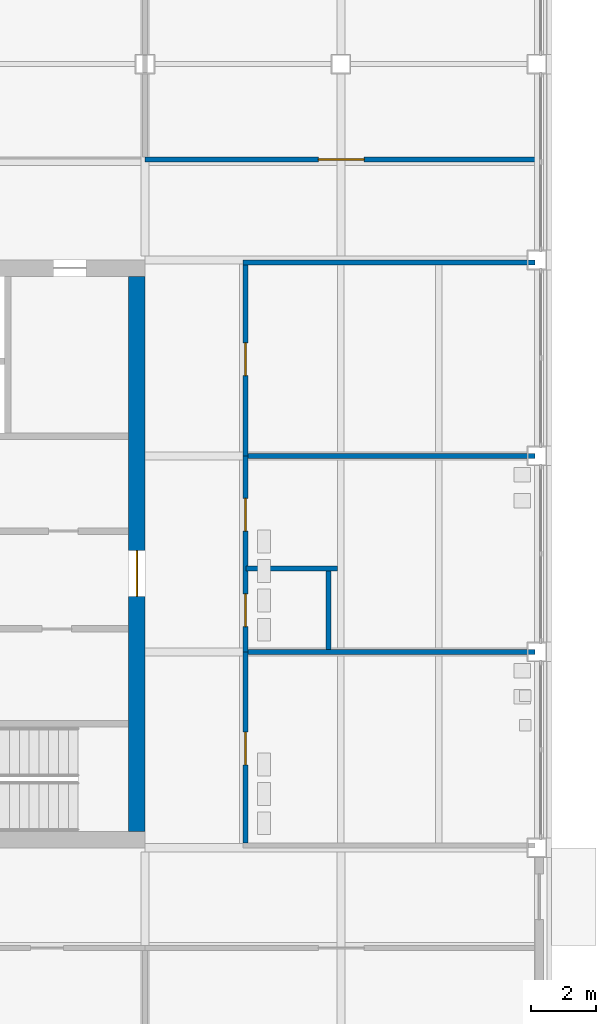
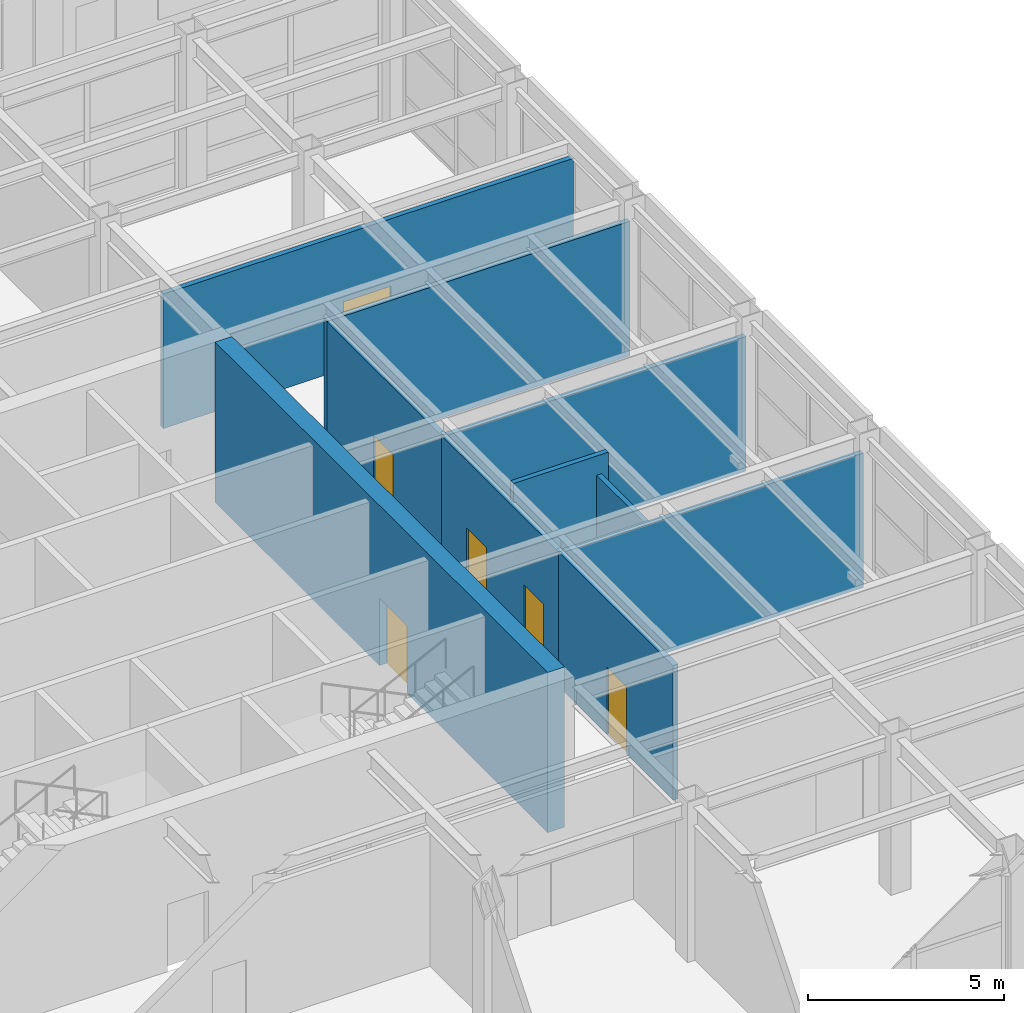
# One storey, part 47 of 77: 10 walls, 6 doors, 6 openings.
"""IFC4 building model written with IfcOpenShell, lengths in metres."""

from ifc_helpers import new_model, si_unit, direction, frame, frame_2d, origin, place, context, subcontext, project, spatial, rectangle, extrude, material, layer, layer_set, type_object, element, fill, save


model = new_model("IFC4")

# Units and contexts
model_context = context("Model", 3, precision=1e-05, world=origin(), true_north=direction((0.0, 1.0)))
body_context = subcontext(model_context, "Body", "Model", "MODEL_VIEW")
ifc_project = project(units=[si_unit("LENGTHUNIT", "METRE"), si_unit("AREAUNIT", "SQUARE_METRE"), si_unit("VOLUMEUNIT", "CUBIC_METRE"), si_unit("PLANEANGLEUNIT", "RADIAN"), si_unit("MASSUNIT", "GRAM", prefix="KILO")], contexts=[model_context])

# Site, building, storey
site_placement = place(None, origin())
site = spatial("IfcSite", under=ifc_project, at=site_placement, CompositionType="ELEMENT")
building_placement = place(site_placement, origin())
building = spatial("IfcBuilding", under=site, at=building_placement, Name="Aravalli Gate Trade Fair Centre", CompositionType="ELEMENT")
storey_placement = place(building_placement, origin())
storey = spatial("IfcBuildingStorey", under=building, at=storey_placement, Name="L00", CompositionType="ELEMENT", Elevation=0.0)

# Wall, opening, door
ifc_material_1 = material(Name="Concrete M50", Category="concrete")
ifc_layer_1 = layer(ifc_material_1, 0.5)
ifc_layer_set_1 = layer_set([ifc_layer_1], Name="Concrete M50")
wall_type_1 = type_object("IfcWallType", Name="Wing core shear wall 500", PredefinedType="SHEAR", material=ifc_layer_set_1)
wall_1_placement = place(storey_placement, frame((189.75, 103.5, 0.0), z_axis=(0.0, 0.0, 1.0), x_axis=(0.0, 1.0, 0.0)))
wall_1 = element("IfcWall", 1, at=wall_1_placement, inside=storey, type_object=wall_type_1, Name="Core wall E L00", PredefinedType="SHEAR", context=body_context, shape_type="SweptSolid", body=[
    extrude(rectangle(XDim=17.0, YDim=0.5, at=frame_2d((8.5, 0.0))), origin(), (0.0, 0.0, 1.0), 5.0),
])
opening_1_placement = place(wall_1_placement, frame((7.199951171875, 0.0, 0.0)))
opening_1 = element("IfcOpeningElement", 2, at=opening_1_placement, cuts=wall_1, Name="Opening T-L00-107", PredefinedType="OPENING", context=body_context, shape_type="SweptSolid", body=[
    extrude(rectangle(XDim=1.39990234375, YDim=2.10009765625, at=frame_2d((0.699951171875, 1.050048828125))), frame((0.0, 0.260009765625, 0.0), z_axis=(0.0, -1.0, 0.0), x_axis=(1.0, 0.0, 0.0)), (0.0, 0.0, 1.0), 0.52001953125),
])
ifc_material_2 = material(Name="Steel, fire rated", Category="steel")
door_type_1 = type_object("IfcDoorType", Name="Wing fire door FD120 1400 x 2100", OperationType="DOUBLE_DOOR_SINGLE_SWING", PredefinedType="DOOR", material=ifc_material_2)
door_1_placement = place(opening_1_placement, frame((1.39990234375, 0.0, 0.0), z_axis=(0.0, 0.0, 1.0), x_axis=(-1.0, 0.0, 0.0)))
door_1 = element("IfcDoor", 3, at=door_1_placement, inside=storey, type_object=door_type_1, Name="Core door T-L00-107", OperationType="DOUBLE_DOOR_SINGLE_SWING", OverallHeight=2.10009765625, OverallWidth=1.39990234375, PredefinedType="DOOR", context=body_context, shape_type="SweptSolid", body=[
    extrude(rectangle(XDim=1.39990234375, YDim=2.10009765625, at=frame_2d((0.699951171875, 1.050048828125))), frame((0.0, 0.02490234375, 0.0), z_axis=(0.0, -1.0, 0.0), x_axis=(1.0, 0.0, 0.0)), (0.0, 0.0, 1.0), 0.050048828125),
])
fill(opening_1, door_1)

ifc_material_3 = material(Name="Blockwork with fire-rated lining", Category="masonry")
ifc_layer_2 = layer(ifc_material_3, 0.14990234375)
ifc_layer_set_2 = layer_set([ifc_layer_2], Name="Blockwork with fire-rated lining")
wall_type_2 = type_object("IfcWallType", Name="Wing partition 150 (EI 60, corridor wall)", PredefinedType="PARTITIONING", material=ifc_layer_set_2)
wall_2_placement = place(storey_placement, frame((190.0, 124.074951171875, 0.0), z_axis=(0.0, 0.0, 1.0), x_axis=(1.0, 0.0, 0.0)))
wall_2 = element("IfcWall", 4, at=wall_2_placement, inside=storey, type_object=wall_type_2, Name="Partition NW3 L00", PredefinedType="PARTITIONING", context=body_context, shape_type="SweptSolid", body=[
    extrude(rectangle(XDim=12.094970703125, YDim=0.14990234375, at=frame_2d((6.04736328125, 0.0))), origin(), (0.0, 0.0, 1.0), 4.199951171875),
])
opening_2_placement = place(wall_2_placement, frame((5.3125, 0.0, 0.0)))
opening_2 = element("IfcOpeningElement", 5, at=opening_2_placement, cuts=wall_2, Name="Opening T-L00-147", PredefinedType="OPENING", context=body_context, shape_type="SweptSolid", body=[
    extrude(rectangle(XDim=1.39990234375, YDim=2.10009765625, at=frame_2d((0.699951171875, 1.050048828125))), frame((0.0, 0.0849609375, 0.0), z_axis=(0.0, -1.0, 0.0), x_axis=(1.0, 0.0, 0.0)), (0.0, 0.0, 1.0), 0.169921875),
])
door_type_2 = type_object("IfcDoorType", Name="Wing fire door FD60 1400 x 2100", OperationType="DOUBLE_DOOR_SINGLE_SWING", PredefinedType="DOOR", material=ifc_material_2)
door_2_placement = place(opening_2_placement, frame((1.39990234375, 0.0, 0.0), z_axis=(0.0, 0.0, 1.0), x_axis=(-1.0, 0.0, 0.0)))
door_2 = element("IfcDoor", 6, at=door_2_placement, inside=storey, type_object=door_type_2, Name="Door T-L00-147", OperationType="DOUBLE_DOOR_SINGLE_SWING", OverallHeight=2.10009765625, OverallWidth=1.39990234375, PredefinedType="DOOR", context=body_context, shape_type="SweptSolid", body=[
    extrude(rectangle(XDim=1.39990234375, YDim=2.10009765625, at=frame_2d((0.699951171875, 1.050048828125))), frame((0.0, 0.02490234375, 0.0), z_axis=(0.0, -1.0, 0.0), x_axis=(1.0, 0.0, 0.0)), (0.0, 0.0, 1.0), 0.050048828125),
])
fill(opening_2, door_2)

wall_3_placement = place(storey_placement, frame((193.074951171875, 103.14990234375, 0.0), z_axis=(0.0, 0.0, 1.0), x_axis=(0.0, 1.0, 0.0)))
wall_3 = element("IfcWall", 7, at=wall_3_placement, inside=storey, type_object=wall_type_2, Name="Partition EW1 L00", PredefinedType="PARTITIONING", context=body_context, shape_type="SweptSolid", body=[
    extrude(rectangle(XDim=5.85009765625, YDim=0.14990234375, at=frame_2d((2.925048828125, 0.0))), origin(), (0.0, 0.0, 1.0), 4.199951171875),
])
opening_3_placement = place(wall_3_placement, frame((2.387451171875, 0.0, 0.0)))
opening_3 = element("IfcOpeningElement", 8, at=opening_3_placement, cuts=wall_3, Name="Opening T-L00-148", PredefinedType="OPENING", context=body_context, shape_type="SweptSolid", body=[
    extrude(rectangle(XDim=1.0, YDim=2.10009765625, at=frame_2d((0.5, 1.050048828125))), frame((0.0, 0.0849609375, 0.0), z_axis=(0.0, -1.0, 0.0), x_axis=(1.0, 0.0, 0.0)), (0.0, 0.0, 1.0), 0.169921875),
])
door_type_3 = type_object("IfcDoorType", Name="Wing fire door FD60 1000 x 2100", OperationType="SINGLE_SWING_LEFT", PredefinedType="DOOR", material=ifc_material_2)
door_3_placement = place(opening_3_placement, frame((1.0, 0.0, 0.0), z_axis=(0.0, 0.0, 1.0), x_axis=(-1.0, 0.0, 0.0)))
door_3 = element("IfcDoor", 9, at=door_3_placement, inside=storey, type_object=door_type_3, Name="Door T-L00-148", OperationType="SINGLE_SWING_LEFT", OverallHeight=2.10009765625, OverallWidth=1.0, PredefinedType="DOOR", context=body_context, shape_type="SweptSolid", body=[
    extrude(rectangle(XDim=1.0, YDim=2.10009765625, at=frame_2d((0.5, 1.050048828125))), frame((0.0, 0.02490234375, 0.0), z_axis=(0.0, -1.0, 0.0), x_axis=(1.0, 0.0, 0.0)), (0.0, 0.0, 1.0), 0.050048828125),
])
fill(opening_3, door_3)

# Wall
wall_4_placement = place(storey_placement, frame((193.14990234375, 109.0, 0.0), z_axis=(0.0, 0.0, 1.0), x_axis=(1.0, 0.0, 0.0)))
element("IfcWall", 10, at=wall_4_placement, inside=storey, type_object=wall_type_2, Name="Partition EP1 L00", PredefinedType="PARTITIONING", context=body_context, shape_type="SweptSolid", body=[
    extrude(rectangle(XDim=8.800048828125, YDim=0.14990234375, at=frame_2d((4.39990234375, 0.0))), origin(), (0.0, 0.0, 1.0), 4.199951171875),
])

# Wall, openings, doors
wall_5_placement = place(storey_placement, frame((193.074951171875, 109.0, 0.0), z_axis=(0.0, 0.0, 1.0), x_axis=(0.0, 1.0, 0.0)))
wall_5 = element("IfcWall", 11, at=wall_5_placement, inside=storey, type_object=wall_type_2, Name="Partition EW2 L00", PredefinedType="PARTITIONING", context=body_context, shape_type="SweptSolid", body=[
    extrude(rectangle(XDim=6.0, YDim=0.14990234375, at=frame_2d((3.0, 0.0))), origin(), (0.0, 0.0, 1.0), 4.199951171875),
])
opening_4_placement = place(wall_5_placement, frame((3.699951171875, 0.0, 0.0)))
opening_4 = element("IfcOpeningElement", 12, at=opening_4_placement, cuts=wall_5, Name="Opening T-L00-149", PredefinedType="OPENING", context=body_context, shape_type="SweptSolid", body=[
    extrude(rectangle(XDim=1.0, YDim=2.10009765625, at=frame_2d((0.5, 1.050048828125))), frame((0.0, 0.0849609375, 0.0), z_axis=(0.0, -1.0, 0.0), x_axis=(1.0, 0.0, 0.0)), (0.0, 0.0, 1.0), 0.169921875),
])
opening_5_placement = place(wall_5_placement, frame((0.77490234375, 0.0, 0.0)))
opening_5 = element("IfcOpeningElement", 13, at=opening_5_placement, cuts=wall_5, Name="Opening T-L00-150", PredefinedType="OPENING", context=body_context, shape_type="SweptSolid", body=[
    extrude(rectangle(XDim=1.0, YDim=2.10009765625, at=frame_2d((0.5, 1.050048828125))), frame((0.0, 0.0849609375, 0.0), z_axis=(0.0, -1.0, 0.0), x_axis=(1.0, 0.0, 0.0)), (0.0, 0.0, 1.0), 0.169921875),
])
door_4_placement = place(opening_4_placement, frame((1.0, 0.0, 0.0), z_axis=(0.0, 0.0, 1.0), x_axis=(-1.0, 0.0, 0.0)))
door_4 = element("IfcDoor", 14, at=door_4_placement, inside=storey, type_object=door_type_3, Name="Door T-L00-149", OperationType="SINGLE_SWING_RIGHT", OverallHeight=2.10009765625, OverallWidth=1.0, PredefinedType="DOOR", context=body_context, shape_type="SweptSolid", body=[
    extrude(rectangle(XDim=1.0, YDim=2.10009765625, at=frame_2d((0.5, 1.050048828125))), frame((0.0, 0.02490234375, 0.0), z_axis=(0.0, -1.0, 0.0), x_axis=(1.0, 0.0, 0.0)), (0.0, 0.0, 1.0), 0.050048828125),
])
fill(opening_4, door_4)
door_5_placement = place(opening_5_placement, frame((1.0, 0.0, 0.0), z_axis=(0.0, 0.0, 1.0), x_axis=(-1.0, 0.0, 0.0)))
door_5 = element("IfcDoor", 15, at=door_5_placement, inside=storey, type_object=door_type_3, Name="Door T-L00-150", OperationType="SINGLE_SWING_LEFT", OverallHeight=2.10009765625, OverallWidth=1.0, PredefinedType="DOOR", context=body_context, shape_type="SweptSolid", body=[
    extrude(rectangle(XDim=1.0, YDim=2.10009765625, at=frame_2d((0.5, 1.050048828125))), frame((0.0, 0.02490234375, 0.0), z_axis=(0.0, -1.0, 0.0), x_axis=(1.0, 0.0, 0.0)), (0.0, 0.0, 1.0), 0.050048828125),
])
fill(opening_5, door_5)

# Walls
wall_6_placement = place(storey_placement, frame((193.14990234375, 115.0, 0.0), z_axis=(0.0, 0.0, 1.0), x_axis=(1.0, 0.0, 0.0)))
element("IfcWall", 16, at=wall_6_placement, inside=storey, type_object=wall_type_2, Name="Partition EP2 L00", PredefinedType="PARTITIONING", context=body_context, shape_type="SweptSolid", body=[
    extrude(rectangle(XDim=8.800048828125, YDim=0.14990234375, at=frame_2d((4.39990234375, 0.0))), origin(), (0.0, 0.0, 1.0), 4.199951171875),
])
wall_7_placement = place(storey_placement, frame((195.625, 109.074951171875, 0.0), z_axis=(0.0, 0.0, 1.0), x_axis=(0.0, 1.0, 0.0)))
element("IfcWall", 17, at=wall_7_placement, inside=storey, type_object=wall_type_2, Name="Partition EA2x L00", PredefinedType="PARTITIONING", context=body_context, shape_type="SweptSolid", body=[
    extrude(rectangle(XDim=2.400146484375, YDim=0.14990234375, at=frame_2d((1.2001953125, 0.0))), origin(), (0.0, 0.0, 1.0), 4.199951171875),
])
wall_8_placement = place(storey_placement, frame((193.10009765625, 111.550048828125, 0.0), z_axis=(0.0, 0.0, 1.0), x_axis=(1.0, 0.0, 0.0)))
element("IfcWall", 18, at=wall_8_placement, inside=storey, type_object=wall_type_2, Name="Partition EA2y L00", PredefinedType="PARTITIONING", context=body_context, shape_type="SweptSolid", body=[
    extrude(rectangle(XDim=2.7998046875, YDim=0.14990234375, at=frame_2d((1.39990234375, 0.0))), origin(), (0.0, 0.0, 1.0), 4.800048828125),
])

# Wall, opening, door
wall_9_placement = place(storey_placement, frame((193.074951171875, 115.0, 0.0), z_axis=(0.0, 0.0, 1.0), x_axis=(0.0, 1.0, 0.0)))
wall_9 = element("IfcWall", 19, at=wall_9_placement, inside=storey, type_object=wall_type_2, Name="Partition EW3 L00", PredefinedType="PARTITIONING", context=body_context, shape_type="SweptSolid", body=[
    extrude(rectangle(XDim=5.85009765625, YDim=0.14990234375, at=frame_2d((2.925048828125, 0.0))), origin(), (0.0, 0.0, 1.0), 4.199951171875),
])
opening_6_placement = place(wall_9_placement, frame((2.46240234375, 0.0, 0.0)))
opening_6 = element("IfcOpeningElement", 20, at=opening_6_placement, cuts=wall_9, Name="Opening T-L00-151", PredefinedType="OPENING", context=body_context, shape_type="SweptSolid", body=[
    extrude(rectangle(XDim=1.0, YDim=2.10009765625, at=frame_2d((0.5, 1.050048828125))), frame((0.0, 0.0849609375, 0.0), z_axis=(0.0, -1.0, 0.0), x_axis=(1.0, 0.0, 0.0)), (0.0, 0.0, 1.0), 0.169921875),
])
door_6_placement = place(opening_6_placement, frame((1.0, 0.0, 0.0), z_axis=(0.0, 0.0, 1.0), x_axis=(-1.0, 0.0, 0.0)))
door_6 = element("IfcDoor", 21, at=door_6_placement, inside=storey, type_object=door_type_3, Name="Door T-L00-151", OperationType="SINGLE_SWING_RIGHT", OverallHeight=2.10009765625, OverallWidth=1.0, PredefinedType="DOOR", context=body_context, shape_type="SweptSolid", body=[
    extrude(rectangle(XDim=1.0, YDim=2.10009765625, at=frame_2d((0.5, 1.050048828125))), frame((0.0, 0.02490234375, 0.0), z_axis=(0.0, -1.0, 0.0), x_axis=(1.0, 0.0, 0.0)), (0.0, 0.0, 1.0), 0.050048828125),
])
fill(opening_6, door_6)

# Wall
wall_10_placement = place(storey_placement, frame((193.0, 120.925048828125, 0.0), z_axis=(0.0, 0.0, 1.0), x_axis=(1.0, 0.0, 0.0)))
element("IfcWall", 22, at=wall_10_placement, inside=storey, type_object=wall_type_2, Name="Partition CL-NE L00", PredefinedType="PARTITIONING", context=body_context, shape_type="SweptSolid", body=[
    extrude(rectangle(XDim=8.949951171875, YDim=0.14990234375, at=frame_2d((4.47509765625, 0.0))), origin(), (0.0, 0.0, 1.0), 4.199951171875),
])

save(model, "model.ifc")
